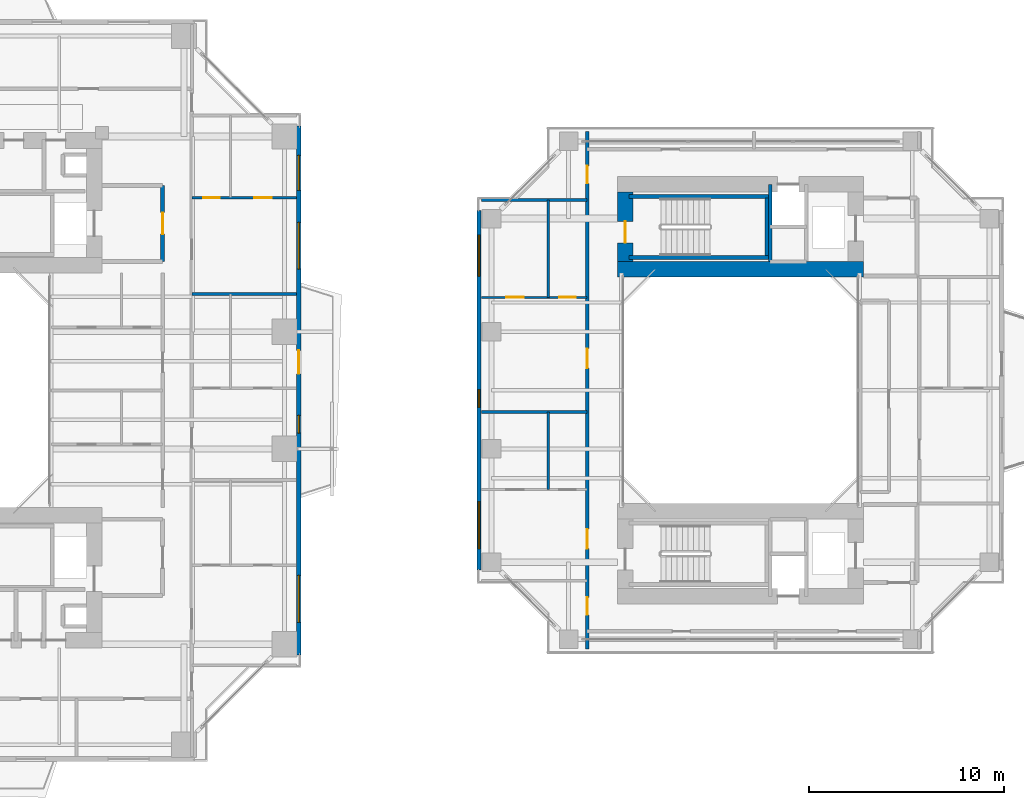
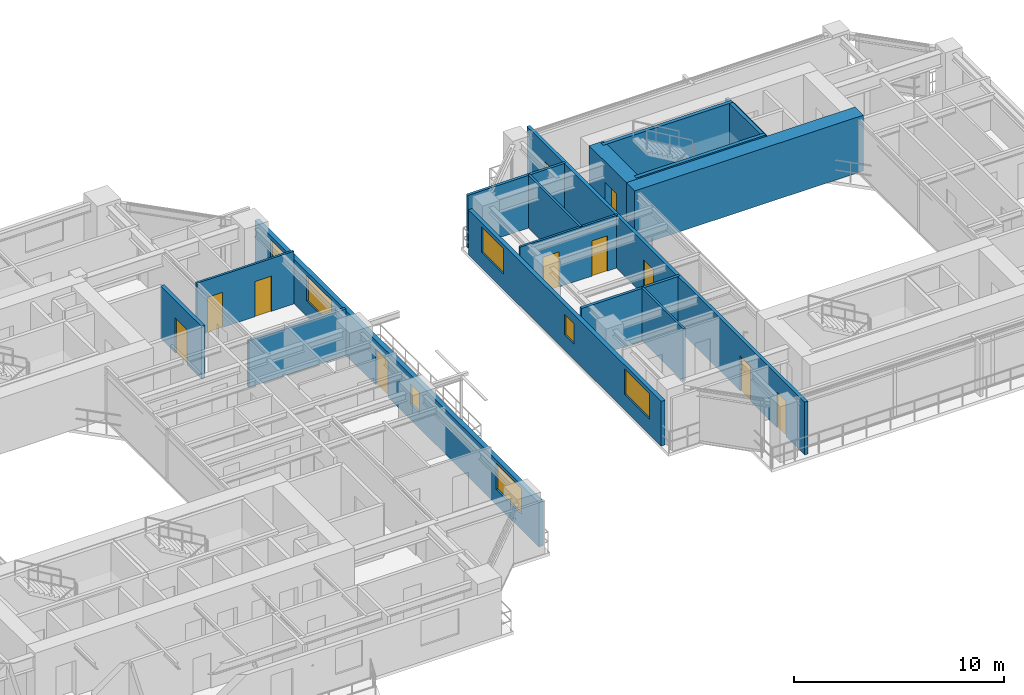
# One storey, part 16 of 24: 17 walls, 11 doors, 7 windows, 18 openings.
"""IFC4 building model written with IfcOpenShell, lengths in metres."""

from ifc_helpers import new_model, si_unit, direction, frame, frame_2d, origin, place, context, subcontext, project, spatial, rectangle, extrude, source, transform, mapped, material, layer, layer_set, type_object, element, fill, save


model = new_model("IFC4")

# Units and contexts
model_context = context("Model", 3, precision=1e-05, world=origin(), true_north=direction((0.0, 1.0)))
body_context = subcontext(model_context, "Body", "Model", "MODEL_VIEW")
ifc_project = project(units=[si_unit("LENGTHUNIT", "METRE"), si_unit("AREAUNIT", "SQUARE_METRE"), si_unit("VOLUMEUNIT", "CUBIC_METRE"), si_unit("PLANEANGLEUNIT", "RADIAN"), si_unit("MASSUNIT", "GRAM", prefix="KILO"), si_unit("THERMODYNAMICTEMPERATUREUNIT", "KELVIN"), si_unit("POWERUNIT", "WATT")], contexts=[model_context])

# Site, building, storey
site_placement = place(None, origin())
site = spatial("IfcSite", under=ifc_project, at=site_placement, CompositionType="ELEMENT")
building_placement = place(site_placement, origin())
building = spatial("IfcBuilding", under=site, at=building_placement, Name="Qiaomeng Ring Towers", CompositionType="ELEMENT")
storey_placement = place(building_placement, frame((0.0, 0.0, 56.75)))
storey = spatial("IfcBuildingStorey", under=building, at=storey_placement, Name="L15", CompositionType="ELEMENT", Elevation=56.75)

# Wall, openings, door, windows
ifc_material_1 = material(Name="Precast concrete C40", Category="concrete")
ifc_layer_1 = layer(ifc_material_1, 0.25, Name="Precast concrete C40")
ifc_layer_set_1 = layer_set([ifc_layer_1], Name="Precast concrete C40")
wall_type_1 = type_object("IfcWallType", Name="ARC-WL-EW1", PredefinedType="STANDARD", material=ifc_layer_set_1)
wall_1_placement = place(storey_placement, frame((37.875, 9.449951171875, 0.0), z_axis=(0.0, 0.0, 1.0), x_axis=(0.0, 1.0, 0.0)))
wall_1 = element("IfcWall", 1, at=wall_1_placement, inside=storey, type_object=wall_type_1, Name="L15 Tower 1 E Exterior Wall", PredefinedType="STANDARD", context=body_context, shape_type="SweptSolid", body=[
    extrude(rectangle(XDim=27.10009765625, YDim=0.25, at=frame_2d((13.550048828125, 0.0))), origin(), (0.0, 0.0, 1.0), 2.610107421875),
])
opening_1_placement = place(wall_1_placement, frame((14.39990234375, 0.0, 0.0)))
opening_1 = element("IfcOpeningElement", 2, at=opening_1_placement, cuts=wall_1, Name="Opening BD1", PredefinedType="OPENING", context=body_context, shape_type="SweptSolid", body=[
    extrude(rectangle(XDim=1.199951171875, YDim=2.10009765625, at=frame_2d((0.60009765625, 1.050048828125))), frame((0.0, 0.135009765625, 0.0), z_axis=(0.0, -1.0, 0.0), x_axis=(1.0, 0.0, 0.0)), (0.0, 0.0, 1.0), 0.27001953125),
])
opening_2_placement = place(wall_1_placement, frame((1.672607421875, 0.0, 0.89990234375)))
opening_2 = element("IfcOpeningElement", 3, at=opening_2_placement, cuts=wall_1, Name="Opening WN6", PredefinedType="OPENING", context=body_context, shape_type="SweptSolid", body=[
    extrude(rectangle(XDim=2.39990234375, YDim=1.5, at=frame_2d((1.199951171875, 0.75))), frame((0.0, 0.135009765625, 0.0), z_axis=(0.0, -1.0, 0.0), x_axis=(1.0, 0.0, 0.0)), (0.0, 0.0, 1.0), 0.27001953125),
])
opening_3_placement = place(wall_1_placement, frame((23.78759765625, 0.0, 0.89990234375)))
opening_3 = element("IfcOpeningElement", 4, at=opening_3_placement, cuts=wall_1, Name="Opening WN1", PredefinedType="OPENING", context=body_context, shape_type="SweptSolid", body=[
    extrude(rectangle(XDim=1.800048828125, YDim=1.5, at=frame_2d((0.89990234375, 0.75))), frame((0.0, 0.135009765625, 0.0), z_axis=(0.0, -1.0, 0.0), x_axis=(1.0, 0.0, 0.0)), (0.0, 0.0, 1.0), 0.27001953125),
])
opening_4_placement = place(wall_1_placement, frame((19.757568359375, 0.0, 0.89990234375)))
opening_4 = element("IfcOpeningElement", 5, at=opening_4_placement, cuts=wall_1, Name="Opening WN6", PredefinedType="OPENING", context=body_context, shape_type="SweptSolid", body=[
    extrude(rectangle(XDim=2.39990234375, YDim=1.5, at=frame_2d((1.199951171875, 0.75))), frame((0.0, 0.135009765625, 0.0), z_axis=(0.0, -1.0, 0.0), x_axis=(1.0, 0.0, 0.0)), (0.0, 0.0, 1.0), 0.27001953125),
])
opening_5_placement = place(wall_1_placement, frame((11.364990234375, 0.0, 0.89990234375)))
opening_5 = element("IfcOpeningElement", 6, at=opening_5_placement, cuts=wall_1, Name="Opening WN5", PredefinedType="OPENING", context=body_context, shape_type="SweptSolid", body=[
    extrude(rectangle(XDim=0.89990234375, YDim=1.199951171875, at=frame_2d((0.449951171875, 0.60009765625))), frame((0.0, 0.135009765625, 0.0), z_axis=(0.0, -1.0, 0.0), x_axis=(1.0, 0.0, 0.0)), (0.0, 0.0, 1.0), 0.27001953125),
])
ifc_material_2 = material(Name="Low-E dark-grey laminated double glazing", Category="glass")
door_type_1 = type_object("IfcDoorType", Name="ARC-DR-BD1", OperationType="NOTDEFINED", PredefinedType="DOOR", material=ifc_material_2)
shared_shape_1 = source(origin(), body_context, "Body", "SweptSolid", [
    extrude(rectangle(XDim=1.199951171875, YDim=2.10009765625, at=frame_2d((0.60009765625, 1.050048828125))), frame((0.0, 0.02490234375, 0.0), z_axis=(0.0, -1.0, 0.0), x_axis=(1.0, 0.0, 0.0)), (0.0, 0.0, 1.0), 0.050048828125),
])
door_1_placement = place(opening_1_placement, origin())
door_1 = element("IfcDoor", 7, at=door_1_placement, inside=storey, type_object=door_type_1, Name="L15 E Balcony Glazed Door", OperationType="SINGLE_SWING_LEFT", OverallHeight=2.10009765625, OverallWidth=1.199951171875, PredefinedType="DOOR", context=body_context, shape_type="MappedRepresentation", body=[
    mapped(shared_shape_1, transform((0.0, 0.0, 0.0), x_axis=(1.0, 0.0, 0.0), y_axis=(0.0, 1.0, 0.0), z_axis=(0.0, 0.0, 1.0), scale=1.0)),
])
fill(opening_1, door_1)
window_type_1 = type_object("IfcWindowType", Name="ARC-WN-6", PartitioningType="TRIPLE_PANEL_VERTICAL", PredefinedType="WINDOW", material=ifc_material_2)
shared_shape_2 = source(origin(), body_context, "Body", "SweptSolid", [
    extrude(rectangle(XDim=2.39990234375, YDim=1.5, at=frame_2d((1.199951171875, 0.75))), frame((0.0, 0.030029296875, 0.0), z_axis=(0.0, -1.0, 0.0), x_axis=(1.0, 0.0, 0.0)), (0.0, 0.0, 1.0), 0.06005859375),
])
window_1_placement = place(opening_2_placement, origin())
window_1 = element("IfcWindow", 8, at=window_1_placement, inside=storey, type_object=window_type_1, Name="L15 Exterior Window WN6", OverallHeight=1.5, OverallWidth=2.39990234375, PartitioningType="TRIPLE_PANEL_VERTICAL", PredefinedType="WINDOW", context=body_context, shape_type="MappedRepresentation", body=[
    mapped(shared_shape_2, transform((0.0, 0.0, 0.0), x_axis=(1.0, 0.0, 0.0), y_axis=(0.0, 1.0, 0.0), z_axis=(0.0, 0.0, 1.0), scale=1.0)),
])
fill(opening_2, window_1)
window_2_placement = place(opening_4_placement, origin())
window_2 = element("IfcWindow", 9, at=window_2_placement, inside=storey, type_object=window_type_1, Name="L15 Exterior Window WN6", OverallHeight=1.5, OverallWidth=2.39990234375, PartitioningType="TRIPLE_PANEL_VERTICAL", PredefinedType="WINDOW", context=body_context, shape_type="MappedRepresentation", body=[
    mapped(shared_shape_2, transform((0.0, 0.0, 0.0), x_axis=(1.0, 0.0, 0.0), y_axis=(0.0, 1.0, 0.0), z_axis=(0.0, 0.0, 1.0), scale=1.0)),
])
fill(opening_4, window_2)
window_type_2 = type_object("IfcWindowType", Name="ARC-WN-1", PartitioningType="DOUBLE_PANEL_VERTICAL", PredefinedType="WINDOW", material=ifc_material_2)
shared_shape_3 = source(origin(), body_context, "Body", "SweptSolid", [
    extrude(rectangle(XDim=1.800048828125, YDim=1.5, at=frame_2d((0.89990234375, 0.75))), frame((0.0, 0.030029296875, 0.0), z_axis=(0.0, -1.0, 0.0), x_axis=(1.0, 0.0, 0.0)), (0.0, 0.0, 1.0), 0.06005859375),
])
window_3_placement = place(opening_3_placement, origin())
window_3 = element("IfcWindow", 10, at=window_3_placement, inside=storey, type_object=window_type_2, Name="L15 Exterior Window WN4", OverallHeight=1.5, OverallWidth=1.800048828125, PartitioningType="TRIPLE_PANEL_VERTICAL", PredefinedType="WINDOW", context=body_context, shape_type="MappedRepresentation", body=[
    mapped(shared_shape_3, transform((0.0, 0.0, 0.0), x_axis=(1.0, 0.0, 0.0), y_axis=(0.0, 1.0, 0.0), z_axis=(0.0, 0.0, 1.0), scale=1.0)),
])
fill(opening_3, window_3)
window_type_3 = type_object("IfcWindowType", Name="ARC-WN-5", PartitioningType="SINGLE_PANEL", PredefinedType="WINDOW", material=ifc_material_2)
shared_shape_4 = source(origin(), body_context, "Body", "SweptSolid", [
    extrude(rectangle(XDim=0.89990234375, YDim=1.199951171875, at=frame_2d((0.449951171875, 0.60009765625))), frame((0.0, 0.030029296875, 0.0), z_axis=(0.0, -1.0, 0.0), x_axis=(1.0, 0.0, 0.0)), (0.0, 0.0, 1.0), 0.06005859375),
])
window_4_placement = place(opening_5_placement, origin())
window_4 = element("IfcWindow", 11, at=window_4_placement, inside=storey, type_object=window_type_3, Name="L15 Exterior Window WN5", OverallHeight=1.199951171875, OverallWidth=0.89990234375, PartitioningType="SINGLE_PANEL", PredefinedType="WINDOW", context=body_context, shape_type="MappedRepresentation", body=[
    mapped(shared_shape_4, transform((0.0, 0.0, 0.0), x_axis=(1.0, 0.0, 0.0), y_axis=(0.0, 1.0, 0.0), z_axis=(0.0, 0.0, 1.0), scale=1.0)),
])
fill(opening_5, window_4)

# Wall, openings, windows
ifc_layer_2 = layer(ifc_material_1, 0.219970703125, Name="Precast concrete C40")
ifc_layer_set_2 = layer_set([ifc_layer_2], Name="Precast concrete C40")
wall_type_2 = type_object("IfcWallType", Name="ARC-WL-EW2", PredefinedType="STANDARD", material=ifc_layer_set_2)
wall_2_placement = place(storey_placement, frame((47.110107421875, 13.800048828125, 0.0), z_axis=(0.0, 0.0, 1.0), x_axis=(0.0, 1.0, 0.0)))
wall_2 = element("IfcWall", 12, at=wall_2_placement, inside=storey, type_object=wall_type_2, Name="L15 Companion West Wall", PredefinedType="STANDARD", context=body_context, shape_type="SweptSolid", body=[
    extrude(rectangle(XDim=18.39990234375, YDim=0.219970703125, at=frame_2d((9.199951171875, 0.0))), origin(), (0.0, 0.0, 1.0), 2.610107421875),
])
opening_6_placement = place(wall_2_placement, frame((1.10009765625, 0.0, 0.89990234375)))
opening_6 = element("IfcOpeningElement", 13, at=opening_6_placement, cuts=wall_2, Name="Opening WN6", PredefinedType="OPENING", context=body_context, shape_type="SweptSolid", body=[
    extrude(rectangle(XDim=2.39990234375, YDim=1.47998046875, at=frame_2d((1.199951171875, 0.739990234375))), frame((0.0, 0.119873046875, 0.0), z_axis=(0.0, -1.0, 0.0), x_axis=(1.0, 0.0, 0.0)), (0.0, 0.0, 1.0), 0.239990234375),
])
opening_7_placement = place(wall_2_placement, frame((15.050048828125, 0.0, 0.89990234375)))
opening_7 = element("IfcOpeningElement", 14, at=opening_7_placement, cuts=wall_2, Name="Opening WN4", PredefinedType="OPENING", context=body_context, shape_type="SweptSolid", body=[
    extrude(rectangle(XDim=2.10009765625, YDim=1.47998046875, at=frame_2d((1.050048828125, 0.739990234375))), frame((0.0, 0.119873046875, 0.0), z_axis=(0.0, -1.0, 0.0), x_axis=(1.0, 0.0, 0.0)), (0.0, 0.0, 1.0), 0.239990234375),
])
opening_8_placement = place(wall_2_placement, frame((8.3349609375, 0.0, 0.89990234375)))
opening_8 = element("IfcOpeningElement", 15, at=opening_8_placement, cuts=wall_2, Name="Opening WN5", PredefinedType="OPENING", context=body_context, shape_type="SweptSolid", body=[
    extrude(rectangle(XDim=0.89990234375, YDim=1.199951171875, at=frame_2d((0.449951171875, 0.60009765625))), frame((0.0, 0.119873046875, 0.0), z_axis=(0.0, -1.0, 0.0), x_axis=(1.0, 0.0, 0.0)), (0.0, 0.0, 1.0), 0.239990234375),
])
window_type_4 = type_object("IfcWindowType", Name="ARC-WN-4", PartitioningType="TRIPLE_PANEL_VERTICAL", PredefinedType="WINDOW", material=ifc_material_2)
shared_shape_5 = source(origin(), body_context, "Body", "SweptSolid", [
    extrude(rectangle(XDim=2.10009765625, YDim=1.47998046875, at=frame_2d((1.050048828125, 0.739990234375))), frame((0.0, 0.030029296875, 0.0), z_axis=(0.0, -1.0, 0.0), x_axis=(1.0, 0.0, 0.0)), (0.0, 0.0, 1.0), 0.06005859375),
])
window_5_placement = place(opening_7_placement, origin())
window_5 = element("IfcWindow", 16, at=window_5_placement, inside=storey, type_object=window_type_4, Name="L15 Exterior Window WN4", OverallHeight=1.47998046875, OverallWidth=2.10009765625, PartitioningType="TRIPLE_PANEL_VERTICAL", PredefinedType="WINDOW", context=body_context, shape_type="MappedRepresentation", body=[
    mapped(shared_shape_5, transform((0.0, 0.0, 0.0), x_axis=(1.0, 0.0, 0.0), y_axis=(0.0, 1.0, 0.0), z_axis=(0.0, 0.0, 1.0), scale=1.0)),
])
fill(opening_7, window_5)
shared_shape_6 = source(origin(), body_context, "Body", "SweptSolid", [
    extrude(rectangle(XDim=2.39990234375, YDim=1.47998046875, at=frame_2d((1.199951171875, 0.739990234375))), frame((0.0, 0.030029296875, 0.0), z_axis=(0.0, -1.0, 0.0), x_axis=(1.0, 0.0, 0.0)), (0.0, 0.0, 1.0), 0.06005859375),
])
window_6_placement = place(opening_6_placement, origin())
window_6 = element("IfcWindow", 17, at=window_6_placement, inside=storey, type_object=window_type_1, Name="L15 Exterior Window WN6", OverallHeight=1.47998046875, OverallWidth=2.39990234375, PartitioningType="TRIPLE_PANEL_VERTICAL", PredefinedType="WINDOW", context=body_context, shape_type="MappedRepresentation", body=[
    mapped(shared_shape_6, transform((0.0, 0.0, 0.0), x_axis=(1.0, 0.0, 0.0), y_axis=(0.0, 1.0, 0.0), z_axis=(0.0, 0.0, 1.0), scale=1.0)),
])
fill(opening_6, window_6)
window_7_placement = place(opening_8_placement, origin())
window_7 = element("IfcWindow", 18, at=window_7_placement, inside=storey, type_object=window_type_3, Name="L15 Exterior Window WN5", OverallHeight=1.199951171875, OverallWidth=0.89990234375, PartitioningType="SINGLE_PANEL", PredefinedType="WINDOW", context=body_context, shape_type="MappedRepresentation", body=[
    mapped(shared_shape_4, transform((0.0, 0.0, 0.0), x_axis=(1.0, 0.0, 0.0), y_axis=(0.0, 1.0, 0.0), z_axis=(0.0, 0.0, 1.0), scale=1.0)),
])
fill(opening_8, window_7)

# Wall, opening, door
ifc_material_3 = material(Name="Autoclaved aerated concrete block", Category="concrete")
ifc_layer_3 = layer(ifc_material_3, 0.199951171875, Name="Autoclaved aerated concrete block")
ifc_layer_set_3 = layer_set([ifc_layer_3], Name="Autoclaved aerated concrete block")
wall_type_3 = type_object("IfcWallType", Name="ARC-WL-PW1", PredefinedType="PARTITIONING", material=ifc_layer_set_3)
wall_3_placement = place(storey_placement, frame((30.89990234375, 29.60009765625, 0.0), z_axis=(0.0, 0.0, 1.0), x_axis=(0.0, 1.0, 0.0)))
wall_3 = element("IfcWall", 19, at=wall_3_placement, inside=storey, type_object=wall_type_3, Name="L15 Interior Wall PW1", PredefinedType="PARTITIONING", context=body_context, shape_type="SweptSolid", body=[
    extrude(rectangle(XDim=3.89990234375, YDim=0.199951171875, at=frame_2d((1.949951171875, 0.0))), origin(), (0.0, 0.0, 1.0), 3.070068359375),
])
opening_9_placement = place(wall_3_placement, frame((1.39990234375, 0.0, 0.0)))
opening_9 = element("IfcOpeningElement", 20, at=opening_9_placement, cuts=wall_3, Name="Opening FD3", PredefinedType="OPENING", context=body_context, shape_type="SweptSolid", body=[
    extrude(rectangle(XDim=1.10009765625, YDim=2.050048828125, at=frame_2d((0.550048828125, 1.02490234375))), frame((0.0, 0.10986328125, 0.0), z_axis=(0.0, -1.0, 0.0), x_axis=(1.0, 0.0, 0.0)), (0.0, 0.0, 1.0), 0.219970703125),
])
ifc_material_4 = material(Name="Galvanised steel", Category="steel")
door_type_2 = type_object("IfcDoorType", Name="ARC-DR-FD3", OperationType="NOTDEFINED", PredefinedType="DOOR", material=ifc_material_4)
shared_shape_7 = source(origin(), body_context, "Body", "SweptSolid", [
    extrude(rectangle(XDim=1.10009765625, YDim=2.050048828125, at=frame_2d((0.550048828125, 1.02490234375))), frame((0.0, 0.02490234375, 0.0), z_axis=(0.0, -1.0, 0.0), x_axis=(1.0, 0.0, 0.0)), (0.0, 0.0, 1.0), 0.050048828125),
])
door_2_placement = place(opening_9_placement, origin())
door_2 = element("IfcDoor", 21, at=door_2_placement, inside=storey, type_object=door_type_2, Name="L15 North FF Lobby Door", OperationType="SINGLE_SWING_LEFT", OverallHeight=2.050048828125, OverallWidth=1.10009765625, PredefinedType="DOOR", context=body_context, shape_type="MappedRepresentation", body=[
    mapped(shared_shape_7, transform((0.0, 0.0, 0.0), x_axis=(1.0, 0.0, 0.0), y_axis=(0.0, 1.0, 0.0), z_axis=(0.0, 0.0, 1.0), scale=1.0)),
])
fill(opening_9, door_2)

# Wall, openings, doors
ifc_layer_4 = layer(ifc_material_3, 0.179931640625, Name="Autoclaved aerated concrete block")
ifc_layer_set_4 = layer_set([ifc_layer_4], Name="Autoclaved aerated concrete block")
wall_type_4 = type_object("IfcWallType", Name="ARC-WL-PW2", PredefinedType="PARTITIONING", material=ifc_layer_set_4)
wall_4_placement = place(storey_placement, frame((52.64990234375, 9.75, 0.0), z_axis=(0.0, 0.0, 1.0), x_axis=(0.0, 1.0, 0.0)))
wall_4 = element("IfcWall", 22, at=wall_4_placement, inside=storey, type_object=wall_type_4, Name="L15 Interior Wall PW2", PredefinedType="PARTITIONING", context=body_context, shape_type="SweptSolid", body=[
    extrude(rectangle(XDim=26.5, YDim=0.179931640625, at=frame_2d((13.25, 0.0))), origin(), (0.0, 0.0, 1.0), 3.070068359375),
])
opening_10_placement = place(wall_4_placement, frame((23.85009765625, 0.0, 0.0)))
opening_10 = element("IfcOpeningElement", 23, at=opening_10_placement, cuts=wall_4, Name="Opening ID1", PredefinedType="OPENING", context=body_context, shape_type="SweptSolid", body=[
    extrude(rectangle(XDim=0.89990234375, YDim=2.050048828125, at=frame_2d((0.449951171875, 1.02490234375))), frame((0.0, 0.099853515625, 0.0), z_axis=(0.0, -1.0, 0.0), x_axis=(1.0, 0.0, 0.0)), (0.0, 0.0, 1.0), 0.199951171875),
])
opening_11_placement = place(wall_4_placement, frame((1.75, 0.0, 0.0)))
opening_11 = element("IfcOpeningElement", 24, at=opening_11_placement, cuts=wall_4, Name="Opening ID1", PredefinedType="OPENING", context=body_context, shape_type="SweptSolid", body=[
    extrude(rectangle(XDim=0.89990234375, YDim=2.050048828125, at=frame_2d((0.449951171875, 1.02490234375))), frame((0.0, 0.099853515625, 0.0), z_axis=(0.0, -1.0, 0.0), x_axis=(1.0, 0.0, 0.0)), (0.0, 0.0, 1.0), 0.199951171875),
])
opening_12_placement = place(wall_4_placement, frame((5.14501953125, 0.0, 0.0)))
opening_12 = element("IfcOpeningElement", 25, at=opening_12_placement, cuts=wall_4, Name="Opening FD4", PredefinedType="OPENING", context=body_context, shape_type="SweptSolid", body=[
    extrude(rectangle(XDim=1.0, YDim=2.050048828125, at=frame_2d((0.5, 1.02490234375))), frame((0.0, 0.099853515625, 0.0), z_axis=(0.0, -1.0, 0.0), x_axis=(1.0, 0.0, 0.0)), (0.0, 0.0, 1.0), 0.199951171875),
])
opening_13_placement = place(wall_4_placement, frame((14.389892578125, 0.0, 0.0)))
opening_13 = element("IfcOpeningElement", 26, at=opening_13_placement, cuts=wall_4, Name="Opening FD4", PredefinedType="OPENING", context=body_context, shape_type="SweptSolid", body=[
    extrude(rectangle(XDim=1.0, YDim=2.050048828125, at=frame_2d((0.5, 1.02490234375))), frame((0.0, 0.099853515625, 0.0), z_axis=(0.0, -1.0, 0.0), x_axis=(1.0, 0.0, 0.0)), (0.0, 0.0, 1.0), 0.199951171875),
])
ifc_material_5 = material(Name="Engineered fire-rated oak timber", Category="wood")
door_type_3 = type_object("IfcDoorType", Name="ARC-DR-FD4", OperationType="NOTDEFINED", PredefinedType="DOOR", material=ifc_material_5)
shared_shape_8 = source(origin(), body_context, "Body", "SweptSolid", [
    extrude(rectangle(XDim=1.0, YDim=2.050048828125, at=frame_2d((0.5, 1.02490234375))), frame((0.0, 0.02490234375, 0.0), z_axis=(0.0, -1.0, 0.0), x_axis=(1.0, 0.0, 0.0)), (0.0, 0.0, 1.0), 0.050048828125),
])
door_3_placement = place(opening_12_placement, origin())
door_3 = element("IfcDoor", 27, at=door_3_placement, inside=storey, type_object=door_type_3, Name="L15 Door FD4", OperationType="SINGLE_SWING_RIGHT", OverallHeight=2.050048828125, OverallWidth=1.0, PredefinedType="DOOR", context=body_context, shape_type="MappedRepresentation", body=[
    mapped(shared_shape_8, transform((0.0, 0.0, 0.0), x_axis=(1.0, 0.0, 0.0), y_axis=(0.0, 1.0, 0.0), z_axis=(0.0, 0.0, 1.0), scale=1.0)),
])
fill(opening_12, door_3)
door_4_placement = place(opening_13_placement, origin())
door_4 = element("IfcDoor", 28, at=door_4_placement, inside=storey, type_object=door_type_3, Name="L15 Door FD4", OperationType="SINGLE_SWING_LEFT", OverallHeight=2.050048828125, OverallWidth=1.0, PredefinedType="DOOR", context=body_context, shape_type="MappedRepresentation", body=[
    mapped(shared_shape_8, transform((0.0, 0.0, 0.0), x_axis=(1.0, 0.0, 0.0), y_axis=(0.0, 1.0, 0.0), z_axis=(0.0, 0.0, 1.0), scale=1.0)),
])
fill(opening_13, door_4)
ifc_material_6 = material(Name="Engineered oak timber", Category="wood")
door_type_4 = type_object("IfcDoorType", Name="ARC-DR-ID1", OperationType="NOTDEFINED", PredefinedType="DOOR", material=ifc_material_6)
shared_shape_9 = source(origin(), body_context, "Body", "SweptSolid", [
    extrude(rectangle(XDim=0.89990234375, YDim=2.050048828125, at=frame_2d((0.449951171875, 1.02490234375))), frame((0.0, 0.02490234375, 0.0), z_axis=(0.0, -1.0, 0.0), x_axis=(1.0, 0.0, 0.0)), (0.0, 0.0, 1.0), 0.050048828125),
])
door_5_placement = place(opening_10_placement, origin())
door_5 = element("IfcDoor", 29, at=door_5_placement, inside=storey, type_object=door_type_4, Name="L15 Door ID1", OperationType="SINGLE_SWING_RIGHT", OverallHeight=2.050048828125, OverallWidth=0.89990234375, PredefinedType="DOOR", context=body_context, shape_type="MappedRepresentation", body=[
    mapped(shared_shape_9, transform((0.0, 0.0, 0.0), x_axis=(1.0, 0.0, 0.0), y_axis=(0.0, 1.0, 0.0), z_axis=(0.0, 0.0, 1.0), scale=1.0)),
])
fill(opening_10, door_5)
door_6_placement = place(opening_11_placement, origin())
door_6 = element("IfcDoor", 30, at=door_6_placement, inside=storey, type_object=door_type_4, Name="L15 Door ID1", OperationType="SINGLE_SWING_LEFT", OverallHeight=2.050048828125, OverallWidth=0.89990234375, PredefinedType="DOOR", context=body_context, shape_type="MappedRepresentation", body=[
    mapped(shared_shape_9, transform((0.0, 0.0, 0.0), x_axis=(1.0, 0.0, 0.0), y_axis=(0.0, 1.0, 0.0), z_axis=(0.0, 0.0, 1.0), scale=1.0)),
])
fill(opening_11, door_6)

# Walls
ifc_material_7 = material(Name="Gypsum fireboard steel-stud partition", Category="steel")
ifc_layer_5 = layer(ifc_material_7, 0.14990234375, Name="Gypsum fireboard steel-stud partition")
ifc_layer_set_5 = layer_set([ifc_layer_5], Name="Gypsum fireboard steel-stud partition")
wall_type_5 = type_object("IfcWallType", Name="ARC-WL-PW3", PredefinedType="PARTITIONING", material=ifc_layer_set_5)
wall_5_placement = place(storey_placement, frame((32.39990234375, 27.929931640625, 0.0), z_axis=(0.0, 0.0, 1.0), x_axis=(1.0, 0.0, 0.0)))
element("IfcWall", 31, at=wall_5_placement, inside=storey, type_object=wall_type_5, Name="L15 Interior Wall PW3", PredefinedType="PARTITIONING", context=body_context, shape_type="SweptSolid", body=[
    extrude(rectangle(XDim=5.35009765625, YDim=0.14990234375, at=frame_2d((2.675048828125, 0.0))), origin(), (0.0, 0.0, 1.0), 2.715087890625),
])
for number, where, z_axis, x_axis, name in (
    (32, (47.25, 32.75, 0.0), (0.0, 0.0, 1.0), (1.0, 0.0, 0.0), "L15 Interior Wall PW3"),
    (33, (47.25, 21.89990234375, 0.0), (0.0, 0.0, 1.0), (1.0, 0.0, 0.0), "L15 Interior Wall PW3"),
):
    element("IfcWall", number, at=place(storey_placement, frame(where, z_axis=z_axis, x_axis=x_axis)), inside=storey, type_object=wall_type_5, Name=name, PredefinedType="PARTITIONING", context=body_context, shape_type="SweptSolid", body=[
        extrude(rectangle(XDim=5.39990234375, YDim=0.14990234375, at=frame_2d((2.699951171875, 0.0))), origin(), (0.0, 0.0, 1.0), 3.070068359375),
    ])

# Wall, openings, doors
ifc_material_8 = material(Name="Moisture-resistant gypsum steel-stud partition", Category="steel")
ifc_layer_6 = layer(ifc_material_8, 0.1201171875, Name="Moisture-resistant gypsum steel-stud partition")
ifc_layer_set_6 = layer_set([ifc_layer_6], Name="Moisture-resistant gypsum steel-stud partition")
wall_type_6 = type_object("IfcWallType", Name="ARC-WL-PW4", PredefinedType="PLUMBINGWALL", material=ifc_layer_set_6)
wall_6_placement = place(storey_placement, frame((32.39990234375, 32.8701171875, 0.0), z_axis=(0.0, 0.0, 1.0), x_axis=(1.0, 0.0, 0.0)))
wall_6 = element("IfcWall", 34, at=wall_6_placement, inside=storey, type_object=wall_type_6, Name="L15 Interior Wall PW4", PredefinedType="PLUMBINGWALL", context=body_context, shape_type="SweptSolid", body=[
    extrude(rectangle(XDim=5.35009765625, YDim=0.1201171875, at=frame_2d((2.675048828125, 0.0))), origin(), (0.0, 0.0, 1.0), 3.070068359375),
])
opening_14_placement = place(wall_6_placement, frame((0.574951171875, 0.0, 0.0)))
opening_14 = element("IfcOpeningElement", 35, at=opening_14_placement, cuts=wall_6, Name="Opening ID2", PredefinedType="OPENING", context=body_context, shape_type="SweptSolid", body=[
    extrude(rectangle(XDim=0.85009765625, YDim=2.050048828125, at=frame_2d((0.425048828125, 1.02490234375))), frame((0.0, 0.070068359375, 0.0), z_axis=(0.0, -1.0, 0.0), x_axis=(1.0, 0.0, 0.0)), (0.0, 0.0, 1.0), 0.14013671875),
])
opening_15_placement = place(wall_6_placement, frame((3.205078125, 0.0, 0.0)))
opening_15 = element("IfcOpeningElement", 36, at=opening_15_placement, cuts=wall_6, Name="Opening ID1", PredefinedType="OPENING", context=body_context, shape_type="SweptSolid", body=[
    extrude(rectangle(XDim=0.89990234375, YDim=2.050048828125, at=frame_2d((0.449951171875, 1.02490234375))), frame((0.0, 0.070068359375, 0.0), z_axis=(0.0, -1.0, 0.0), x_axis=(1.0, 0.0, 0.0)), (0.0, 0.0, 1.0), 0.14013671875),
])
ifc_material_9 = material(Name="Moisture-resistant engineered timber", Category="wood")
door_type_5 = type_object("IfcDoorType", Name="ARC-DR-ID2", OperationType="NOTDEFINED", PredefinedType="DOOR", material=ifc_material_9)
shared_shape_10 = source(origin(), body_context, "Body", "SweptSolid", [
    extrude(rectangle(XDim=0.85009765625, YDim=2.050048828125, at=frame_2d((0.425048828125, 1.02490234375))), frame((0.0, 0.02490234375, 0.0), z_axis=(0.0, -1.0, 0.0), x_axis=(1.0, 0.0, 0.0)), (0.0, 0.0, 1.0), 0.050048828125),
])
door_7_placement = place(opening_14_placement, origin())
door_7 = element("IfcDoor", 37, at=door_7_placement, inside=storey, type_object=door_type_5, Name="L15 Door ID2", OperationType="SINGLE_SWING_LEFT", OverallHeight=2.050048828125, OverallWidth=0.85009765625, PredefinedType="DOOR", context=body_context, shape_type="MappedRepresentation", body=[
    mapped(shared_shape_10, transform((0.0, 0.0, 0.0), x_axis=(1.0, 0.0, 0.0), y_axis=(0.0, 1.0, 0.0), z_axis=(0.0, 0.0, 1.0), scale=1.0)),
])
fill(opening_14, door_7)
door_8_placement = place(opening_15_placement, origin())
door_8 = element("IfcDoor", 38, at=door_8_placement, inside=storey, type_object=door_type_4, Name="L15 Door ID1", OperationType="SINGLE_SWING_RIGHT", OverallHeight=2.050048828125, OverallWidth=0.89990234375, PredefinedType="DOOR", context=body_context, shape_type="MappedRepresentation", body=[
    mapped(shared_shape_9, transform((0.0, 0.0, 0.0), x_axis=(1.0, 0.0, 0.0), y_axis=(0.0, 1.0, 0.0), z_axis=(0.0, 0.0, 1.0), scale=1.0)),
])
fill(opening_15, door_8)

# Wall
wall_7_placement = place(storey_placement, frame((50.64990234375, 17.919921875, 0.0), z_axis=(0.0, 0.0, 1.0), x_axis=(0.0, 1.0, 0.0)))
element("IfcWall", 39, at=wall_7_placement, inside=storey, type_object=wall_type_6, Name="L15 Interior Wall PW4", PredefinedType="PLUMBINGWALL", context=body_context, shape_type="SweptSolid", body=[
    extrude(rectangle(XDim=3.97998046875, YDim=0.1201171875, at=frame_2d((1.989990234375, 0.0))), origin(), (0.0, 0.0, 1.0), 3.070068359375),
])

# Wall, openings, doors
wall_8_placement = place(storey_placement, frame((47.25, 27.760009765625, 0.0), z_axis=(0.0, 0.0, 1.0), x_axis=(1.0, 0.0, 0.0)))
wall_8 = element("IfcWall", 40, at=wall_8_placement, inside=storey, type_object=wall_type_6, Name="L15 Interior Wall PW4", PredefinedType="PLUMBINGWALL", context=body_context, shape_type="SweptSolid", body=[
    extrude(rectangle(XDim=5.39990234375, YDim=0.1201171875, at=frame_2d((2.699951171875, 0.0))), origin(), (0.0, 0.0, 1.0), 3.070068359375),
])
opening_16_placement = place(wall_8_placement, frame((1.260009765625, 0.0, 0.0)))
opening_16 = element("IfcOpeningElement", 41, at=opening_16_placement, cuts=wall_8, Name="Opening ID1", PredefinedType="OPENING", context=body_context, shape_type="SweptSolid", body=[
    extrude(rectangle(XDim=0.89990234375, YDim=2.050048828125, at=frame_2d((0.449951171875, 1.02490234375))), frame((0.0, 0.070068359375, 0.0), z_axis=(0.0, -1.0, 0.0), x_axis=(1.0, 0.0, 0.0)), (0.0, 0.0, 1.0), 0.14013671875),
])
opening_17_placement = place(wall_8_placement, frame((3.965087890625, 0.0, 0.0)))
opening_17 = element("IfcOpeningElement", 42, at=opening_17_placement, cuts=wall_8, Name="Opening ID2", PredefinedType="OPENING", context=body_context, shape_type="SweptSolid", body=[
    extrude(rectangle(XDim=0.85009765625, YDim=2.050048828125, at=frame_2d((0.425048828125, 1.02490234375))), frame((0.0, 0.070068359375, 0.0), z_axis=(0.0, -1.0, 0.0), x_axis=(1.0, 0.0, 0.0)), (0.0, 0.0, 1.0), 0.14013671875),
])
door_9_placement = place(opening_17_placement, origin())
door_9 = element("IfcDoor", 43, at=door_9_placement, inside=storey, type_object=door_type_5, Name="L15 Door ID2", OperationType="SINGLE_SWING_LEFT", OverallHeight=2.050048828125, OverallWidth=0.85009765625, PredefinedType="DOOR", context=body_context, shape_type="MappedRepresentation", body=[
    mapped(shared_shape_10, transform((0.0, 0.0, 0.0), x_axis=(1.0, 0.0, 0.0), y_axis=(0.0, 1.0, 0.0), z_axis=(0.0, 0.0, 1.0), scale=1.0)),
])
fill(opening_17, door_9)
door_10_placement = place(opening_16_placement, origin())
door_10 = element("IfcDoor", 44, at=door_10_placement, inside=storey, type_object=door_type_4, Name="L15 Door ID1", OperationType="SINGLE_SWING_RIGHT", OverallHeight=2.050048828125, OverallWidth=0.89990234375, PredefinedType="DOOR", context=body_context, shape_type="MappedRepresentation", body=[
    mapped(shared_shape_9, transform((0.0, 0.0, 0.0), x_axis=(1.0, 0.0, 0.0), y_axis=(0.0, 1.0, 0.0), z_axis=(0.0, 0.0, 1.0), scale=1.0)),
])
fill(opening_16, door_10)

# Walls
wall_9_placement = place(storey_placement, frame((50.64990234375, 27.760009765625, 0.0), z_axis=(0.0, 0.0, 1.0), x_axis=(0.0, 1.0, 0.0)))
element("IfcWall", 45, at=wall_9_placement, inside=storey, type_object=wall_type_6, Name="L15 Interior Wall PW4", PredefinedType="PLUMBINGWALL", context=body_context, shape_type="SweptSolid", body=[
    extrude(rectangle(XDim=4.989990234375, YDim=0.1201171875, at=frame_2d((2.4951171875, 0.0))), origin(), (0.0, 0.0, 1.0), 3.070068359375),
])
ifc_material_10 = material(Name="Concrete C40", Category="concrete")
ifc_layer_7 = layer(ifc_material_10, 0.199951171875, Name="Concrete C40")
ifc_layer_set_7 = layer_set([ifc_layer_7], Name="Concrete C40")
wall_type_7 = type_object("IfcWallType", Name="STR-WL-STSHAFT", PredefinedType="SHEAR", material=ifc_layer_set_7)
wall_10_placement = place(storey_placement, frame((62.02001953125, 29.60009765625, 0.0), z_axis=(0.0, 0.0, 1.0), x_axis=(0.0, 1.0, 0.0)))
element("IfcWall", 46, at=wall_10_placement, inside=storey, type_object=wall_type_7, Name="L15 Companion Lift Shaft West Wall N", PredefinedType="SHEAR", context=body_context, shape_type="SweptSolid", body=[
    extrude(rectangle(XDim=3.949951171875, YDim=0.179931640625, at=frame_2d((1.97509765625, 0.0))), origin(), (0.0, 0.0, 1.0), 3.070068359375),
])
for number, where, z_axis, x_axis, name in (
    (47, (54.800048828125, 29.800048828125, 0.0), (0.0, 0.0, 1.0), (1.0, 0.0, 0.0), "L15 Stair ST5 South Shaft Shear Wall"),
    (48, (54.800048828125, 32.93994140625, 0.0), (0.0, 0.0, 1.0), (1.0, 0.0, 0.0), "L15 Stair ST5 North Shaft Shear Wall"),
):
    element("IfcWall", number, at=place(storey_placement, frame(where, z_axis=z_axis, x_axis=x_axis)), inside=storey, type_object=wall_type_7, Name=name, PredefinedType="SHEAR", context=body_context, shape_type="SweptSolid", body=[
        extrude(rectangle(XDim=7.14990234375, YDim=0.199951171875, at=frame_2d((3.574951171875, 0.0))), origin(), (0.0, 0.0, 1.0), 3.25),
    ])
wall_11_placement = place(storey_placement, frame((61.85009765625, 29.89990234375, 0.0), z_axis=(0.0, 0.0, 1.0), x_axis=(0.0, 1.0, 0.0)))
element("IfcWall", 49, at=wall_11_placement, inside=storey, type_object=wall_type_7, Name="L15 Stair ST5 East Shaft Shear Wall", PredefinedType="SHEAR", context=body_context, shape_type="SweptSolid", body=[
    extrude(rectangle(XDim=2.940185546875, YDim=0.199951171875, at=frame_2d((1.47021484375, 0.0))), origin(), (0.0, 0.0, 1.0), 3.25),
])
ifc_material_11 = material(Name="Concrete C60", Category="concrete")
ifc_layer_8 = layer(ifc_material_11, 0.800048828125, Name="Concrete C60")
ifc_layer_set_8 = layer_set([ifc_layer_8], Name="Concrete C60")
wall_type_8 = type_object("IfcWallType", Name="STR-WL-SW1", PredefinedType="SHEAR", material=ifc_layer_set_8)
wall_12_placement = place(storey_placement, frame((54.199951171875, 29.199951171875, 0.0), z_axis=(0.0, 0.0, 1.0), x_axis=(1.0, 0.0, 0.0)))
element("IfcWall", 50, at=wall_12_placement, inside=storey, type_object=wall_type_8, Name="L15 T2NC south core shear wall", PredefinedType="SHEAR", context=body_context, shape_type="SweptSolid", body=[
    extrude(rectangle(XDim=12.60009765625, YDim=0.800048828125, at=frame_2d((6.300048828125, 0.0))), origin(), (0.0, 0.0, 1.0), 3.25),
])

# Wall, opening, door
wall_13_placement = place(storey_placement, frame((54.60009765625, 29.60009765625, 0.0), z_axis=(0.0, 0.0, 1.0), x_axis=(0.0, 1.0, 0.0)))
wall_13 = element("IfcWall", 51, at=wall_13_placement, inside=storey, type_object=wall_type_8, Name="L15 T2NC west core shear wall", PredefinedType="SHEAR", context=body_context, shape_type="SweptSolid", body=[
    extrude(rectangle(XDim=3.5498046875, YDim=0.800048828125, at=frame_2d((1.77490234375, 0.0))), origin(), (0.0, 0.0, 1.0), 3.25),
])
opening_18_placement = place(wall_13_placement, frame((0.949951171875, 0.0, 0.0)))
opening_18 = element("IfcOpeningElement", 52, at=opening_18_placement, cuts=wall_13, Name="Opening FD3", PredefinedType="OPENING", context=body_context, shape_type="SweptSolid", body=[
    extrude(rectangle(XDim=1.10009765625, YDim=2.050048828125, at=frame_2d((0.550048828125, 1.02490234375))), frame((0.0, 0.409912109375, 0.0), z_axis=(0.0, -1.0, 0.0), x_axis=(1.0, 0.0, 0.0)), (0.0, 0.0, 1.0), 0.820068359375),
])
door_11_placement = place(opening_18_placement, origin())
door_11 = element("IfcDoor", 53, at=door_11_placement, inside=storey, type_object=door_type_2, Name="L15 Stair ST5 Exit Door", OperationType="SINGLE_SWING_LEFT", OverallHeight=2.050048828125, OverallWidth=1.10009765625, PredefinedType="DOOR", context=body_context, shape_type="MappedRepresentation", body=[
    mapped(shared_shape_7, transform((0.0, 0.0, 0.0), x_axis=(1.0, 0.0, 0.0), y_axis=(0.0, 1.0, 0.0), z_axis=(0.0, 0.0, 1.0), scale=1.0)),
])
fill(opening_18, door_11)

save(model, "model.ifc")
